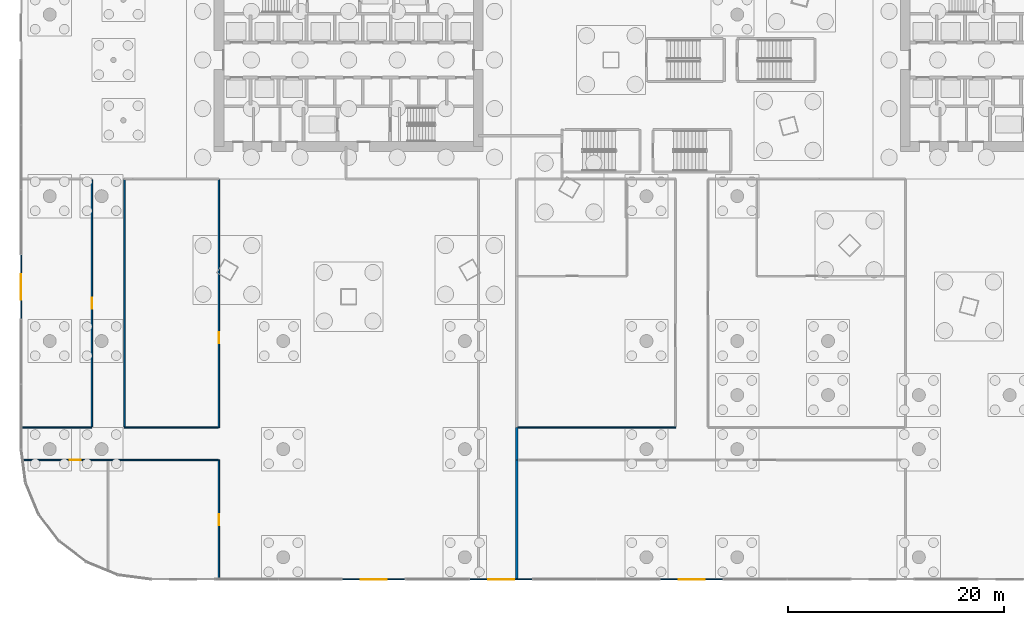
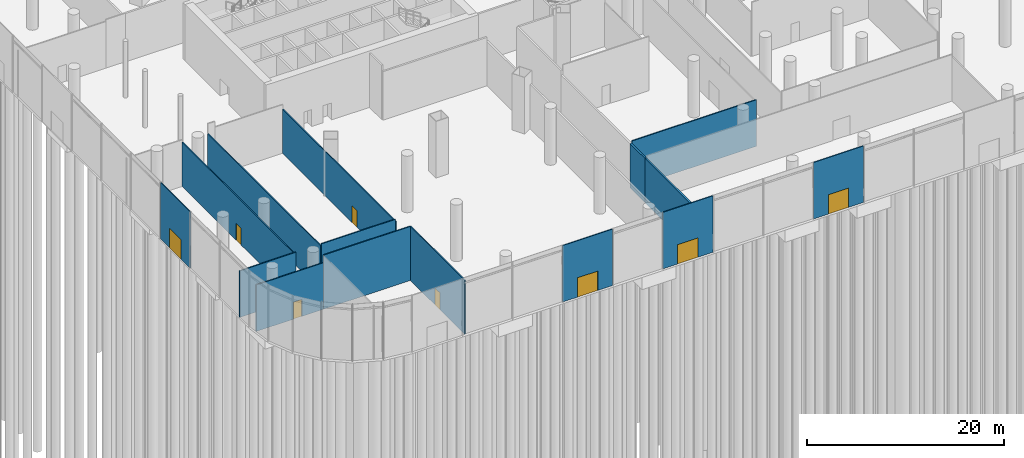
# One storey, part 23 of 41: 15 walls, 8 doors, 8 openings.
"""IFC4 building model written with IfcOpenShell, lengths in metres."""

from ifc_helpers import new_model, si_unit, direction, frame, frame_2d, origin, place, context, subcontext, project, spatial, rectangle, extrude, material, layer, layer_set, type_object, element, fill, save


model = new_model("IFC4")

# Units and contexts
model_context = context("Model", 3, precision=1e-05, world=origin(), true_north=direction((0.0, 1.0)))
body_context = subcontext(model_context, "Body", "Model", "MODEL_VIEW")
ifc_project = project(units=[si_unit("LENGTHUNIT", "METRE"), si_unit("AREAUNIT", "SQUARE_METRE"), si_unit("VOLUMEUNIT", "CUBIC_METRE"), si_unit("PLANEANGLEUNIT", "RADIAN"), si_unit("MASSUNIT", "GRAM", prefix="KILO")], contexts=[model_context])

# Site, building, storey
site_placement = place(None, origin())
site = spatial("IfcSite", under=ifc_project, at=site_placement, CompositionType="ELEMENT")
building_placement = place(site_placement, origin())
building = spatial("IfcBuilding", under=site, at=building_placement, Name="Rimbun Link Towers", CompositionType="ELEMENT")
storey_placement = place(building_placement, origin())
storey = spatial("IfcBuildingStorey", under=building, at=storey_placement, Name="L00", CompositionType="ELEMENT", Elevation=0.0)

# Wall, opening, door
ifc_material_1 = material(Name="Aluminium framed insulated infill panel", Category="aluminium")
ifc_layer_1 = layer(ifc_material_1, 0.10009765625)
ifc_layer_set_1 = layer_set([ifc_layer_1], Name="ED framed infill wall 100")
wall_type_1 = type_object("IfcWallType", Name="ED framed infill wall 100", PredefinedType="STANDARD", material=ifc_layer_set_1)
wall_1_placement = place(storey_placement, frame((-62.050048828125, -23.97998046875, 0.0), z_axis=(0.0, 0.0, 1.0), x_axis=(0.0, 1.0, 0.0)))
wall_1 = element("IfcWall", 1, at=wall_1_placement, inside=storey, type_object=wall_type_1, Name="Framed door bay wall", PredefinedType="STANDARD", context=body_context, shape_type="SweptSolid", body=[
    extrude(rectangle(XDim=5.9599609375, YDim=0.10009765625, at=frame_2d((2.97998046875, 0.0))), origin(), (0.0, 0.0, 1.0), 7.0),
])
opening_1_placement = place(wall_1_placement, frame((1.780029296875, 0.0, 0.0)))
opening_1 = element("IfcOpeningElement", 2, at=opening_1_placement, cuts=wall_1, Name="Opening ED14", PredefinedType="OPENING", context=body_context, shape_type="SweptSolid", body=[
    extrude(rectangle(XDim=2.39990234375, YDim=2.39990234375, at=frame_2d((1.199951171875, 1.199951171875))), frame((0.0, 0.06005859375, 0.0), z_axis=(0.0, -1.0, 0.0), x_axis=(1.0, 0.0, 0.0)), (0.0, 0.0, 1.0), 0.1201171875),
])
ifc_material_2 = material(Name="Aluminium framed glazed door, low-iron glass", Category="aluminium")
door_type_1 = type_object("IfcDoorType", Name="ED entrance door double leaf 2400X2400", OperationType="DOUBLE_DOOR_SINGLE_SWING", PredefinedType="DOOR", material=ifc_material_2)
door_1_placement = place(opening_1_placement, origin())
door_1 = element("IfcDoor", 3, at=door_1_placement, inside=storey, type_object=door_type_1, Name="Entrance door", OperationType="SINGLE_SWING_LEFT", OverallHeight=2.39990234375, OverallWidth=2.39990234375, PredefinedType="DOOR", context=body_context, shape_type="SweptSolid", body=[
    extrude(rectangle(XDim=2.39990234375, YDim=2.39990234375, at=frame_2d((1.199951171875, 1.199951171875))), frame((0.0, 0.02490234375, 0.0), z_axis=(0.0, -1.0, 0.0), x_axis=(1.0, 0.0, 0.0)), (0.0, 0.0, 1.0), 0.050048828125),
])
fill(opening_1, door_1)

wall_2_placement = place(storey_placement, frame((-26.490478515625, -48.050048828125, 0.0), z_axis=(0.0, 0.0, 1.0), x_axis=(-1.0, 0.0, 0.0)))
wall_2 = element("IfcWall", 4, at=wall_2_placement, inside=storey, type_object=wall_type_1, Name="Framed door bay wall", PredefinedType="STANDARD", context=body_context, shape_type="SweptSolid", body=[
    extrude(rectangle(XDim=5.842529296875, YDim=0.10009765625, at=frame_2d((2.92138671875, 0.0))), origin(), (0.0, 0.0, 1.0), 7.0),
])
opening_2_placement = place(wall_2_placement, frame((1.72119140625, 0.0, 0.0)))
opening_2 = element("IfcOpeningElement", 5, at=opening_2_placement, cuts=wall_2, Name="Opening ED16", PredefinedType="OPENING", context=body_context, shape_type="SweptSolid", body=[
    extrude(rectangle(XDim=2.39990234375, YDim=2.39990234375, at=frame_2d((1.199951171875, 1.199951171875))), frame((0.0, 0.06005859375, 0.0), z_axis=(0.0, -1.0, 0.0), x_axis=(1.0, 0.0, 0.0)), (0.0, 0.0, 1.0), 0.1201171875),
])
door_2_placement = place(opening_2_placement, origin())
door_2 = element("IfcDoor", 6, at=door_2_placement, inside=storey, type_object=door_type_1, Name="Entrance door", OperationType="SINGLE_SWING_LEFT", OverallHeight=2.39990234375, OverallWidth=2.39990234375, PredefinedType="DOOR", context=body_context, shape_type="SweptSolid", body=[
    extrude(rectangle(XDim=2.39990234375, YDim=2.39990234375, at=frame_2d((1.199951171875, 1.199951171875))), frame((0.0, 0.02490234375, 0.0), z_axis=(0.0, -1.0, 0.0), x_axis=(1.0, 0.0, 0.0)), (0.0, 0.0, 1.0), 0.050048828125),
])
fill(opening_2, door_2)

wall_3_placement = place(storey_placement, frame((-14.725830078125, -48.050048828125, 0.0), z_axis=(0.0, 0.0, 1.0), x_axis=(-1.0, 0.0, 0.0)))
wall_3 = element("IfcWall", 7, at=wall_3_placement, inside=storey, type_object=wall_type_1, Name="Framed door bay wall", PredefinedType="STANDARD", context=body_context, shape_type="SweptSolid", body=[
    extrude(rectangle(XDim=5.84228515625, YDim=0.10009765625, at=frame_2d((2.921142578125, 0.0))), origin(), (0.0, 0.0, 1.0), 7.0),
])
opening_3_placement = place(wall_3_placement, frame((1.72119140625, 0.0, 0.0)))
opening_3 = element("IfcOpeningElement", 8, at=opening_3_placement, cuts=wall_3, Name="Opening ED17", PredefinedType="OPENING", context=body_context, shape_type="SweptSolid", body=[
    extrude(rectangle(XDim=2.39990234375, YDim=2.39990234375, at=frame_2d((1.199951171875, 1.199951171875))), frame((0.0, 0.06005859375, 0.0), z_axis=(0.0, -1.0, 0.0), x_axis=(1.0, 0.0, 0.0)), (0.0, 0.0, 1.0), 0.1201171875),
])
door_3_placement = place(opening_3_placement, origin())
door_3 = element("IfcDoor", 9, at=door_3_placement, inside=storey, type_object=door_type_1, Name="Entrance door", OperationType="SINGLE_SWING_LEFT", OverallHeight=2.39990234375, OverallWidth=2.39990234375, PredefinedType="DOOR", context=body_context, shape_type="SweptSolid", body=[
    extrude(rectangle(XDim=2.39990234375, YDim=2.39990234375, at=frame_2d((1.199951171875, 1.199951171875))), frame((0.0, 0.02490234375, 0.0), z_axis=(0.0, -1.0, 0.0), x_axis=(1.0, 0.0, 0.0)), (0.0, 0.0, 1.0), 0.050048828125),
])
fill(opening_3, door_3)

wall_4_placement = place(storey_placement, frame((2.921142578125, -48.050048828125, 0.0), z_axis=(0.0, 0.0, 1.0), x_axis=(-1.0, 0.0, 0.0)))
wall_4 = element("IfcWall", 10, at=wall_4_placement, inside=storey, type_object=wall_type_1, Name="Framed door bay wall", PredefinedType="STANDARD", context=body_context, shape_type="SweptSolid", body=[
    extrude(rectangle(XDim=5.84228515625, YDim=0.10009765625, at=frame_2d((2.921142578125, 0.0))), origin(), (0.0, 0.0, 1.0), 7.0),
])
opening_4_placement = place(wall_4_placement, frame((1.72119140625, 0.0, 0.0)))
opening_4 = element("IfcOpeningElement", 11, at=opening_4_placement, cuts=wall_4, Name="Opening ED18", PredefinedType="OPENING", context=body_context, shape_type="SweptSolid", body=[
    extrude(rectangle(XDim=2.39990234375, YDim=2.39990234375, at=frame_2d((1.199951171875, 1.199951171875))), frame((0.0, 0.06005859375, 0.0), z_axis=(0.0, -1.0, 0.0), x_axis=(1.0, 0.0, 0.0)), (0.0, 0.0, 1.0), 0.1201171875),
])
door_4_placement = place(opening_4_placement, origin())
door_4 = element("IfcDoor", 12, at=door_4_placement, inside=storey, type_object=door_type_1, Name="Entrance door", OperationType="SINGLE_SWING_LEFT", OverallHeight=2.39990234375, OverallWidth=2.39990234375, PredefinedType="DOOR", context=body_context, shape_type="SweptSolid", body=[
    extrude(rectangle(XDim=2.39990234375, YDim=2.39990234375, at=frame_2d((1.199951171875, 1.199951171875))), frame((0.0, 0.02490234375, 0.0), z_axis=(0.0, -1.0, 0.0), x_axis=(1.0, 0.0, 0.0)), (0.0, 0.0, 1.0), 0.050048828125),
])
fill(opening_4, door_4)

# Walls
ifc_material_3 = material(Name="Concrete blockwork", Category="masonry")
ifc_layer_2 = layer(ifc_material_3, 0.199951171875)
ifc_layer_set_2 = layer_set([ifc_layer_2], Name="Fire partition 200 blockwork")
wall_type_2 = type_object("IfcWallType", Name="Fire partition 200 blockwork", PredefinedType="PARTITIONING", material=ifc_layer_set_2)
wall_5_placement = place(storey_placement, frame((-16.199951171875, -37.0, 0.0), z_axis=(0.0, 0.0, 1.0), x_axis=(0.0, 1.0, 0.0)))
element("IfcWall", 13, at=wall_5_placement, inside=storey, type_object=wall_type_2, Name="PD/PW/L00/032", PredefinedType="PARTITIONING", context=body_context, shape_type="SweptSolid", body=[
    extrude(rectangle(XDim=3.0, YDim=0.199951171875, at=frame_2d((1.5, 0.0))), origin(), (0.0, 0.0, 1.0), 5.47998046875),
])
wall_6_placement = place(storey_placement, frame((-16.199951171875, -48.080078125, 0.0), z_axis=(0.0, 0.0, 1.0), x_axis=(0.0, 1.0, 0.0)))
element("IfcWall", 14, at=wall_6_placement, inside=storey, type_object=wall_type_2, Name="PD/PW/L00/036", PredefinedType="PARTITIONING", context=body_context, shape_type="SweptSolid", body=[
    extrude(rectangle(XDim=11.080078125, YDim=0.199951171875, at=frame_2d((5.5400390625, 0.0))), origin(), (0.0, 0.0, 1.0), 5.47998046875),
])

# Wall, opening, door
ifc_material_4 = material(Name="Gypsum board on steel studs", Category="steel")
ifc_layer_3 = layer(ifc_material_4, 0.125)
ifc_layer_set_3 = layer_set([ifc_layer_3], Name="Partition 125 board on studs")
wall_type_3 = type_object("IfcWallType", Name="Partition 125 board on studs", PredefinedType="PARTITIONING", material=ifc_layer_set_3)
wall_7_placement = place(storey_placement, frame((-43.75, -37.0, 0.0), z_axis=(0.0, 0.0, 1.0), x_axis=(0.0, -1.0, 0.0)))
wall_7 = element("IfcWall", 15, at=wall_7_placement, inside=storey, type_object=wall_type_3, Name="PD/PW/L00/060", PredefinedType="PARTITIONING", context=body_context, shape_type="SweptSolid", body=[
    extrude(rectangle(XDim=11.080078125, YDim=0.125, at=frame_2d((5.5400390625, 0.0))), origin(), (0.0, 0.0, 1.0), 6.699951171875),
])
opening_5_placement = place(wall_7_placement, frame((5.0400390625, 0.0, 0.0)))
opening_5 = element("IfcOpeningElement", 16, at=opening_5_placement, cuts=wall_7, Name="Opening PD D00.07", PredefinedType="OPENING", context=body_context, shape_type="SweptSolid", body=[
    extrude(rectangle(XDim=1.0, YDim=2.10009765625, at=frame_2d((0.5, 1.050048828125))), frame((0.0, 0.072509765625, 0.0), z_axis=(0.0, -1.0, 0.0), x_axis=(1.0, 0.0, 0.0)), (0.0, 0.0, 1.0), 0.14501953125),
])
ifc_material_5 = material(Name="Timber door set", Category="wood")
door_type_2 = type_object("IfcDoorType", Name="Door single leaf 1000 x 2100", OperationType="NOTDEFINED", PredefinedType="DOOR", material=ifc_material_5)
door_5_placement = place(opening_5_placement, origin())
door_5 = element("IfcDoor", 17, at=door_5_placement, inside=storey, type_object=door_type_2, Name="PD/DR/L00/007", OperationType="SINGLE_SWING_RIGHT", OverallHeight=2.10009765625, OverallWidth=1.0, PredefinedType="DOOR", context=body_context, shape_type="SweptSolid", body=[
    extrude(rectangle(XDim=1.0, YDim=2.10009765625, at=frame_2d((0.5, 1.050048828125))), frame((0.0, 0.02490234375, 0.0), z_axis=(0.0, -1.0, 0.0), x_axis=(1.0, 0.0, 0.0)), (0.0, 0.0, 1.0), 0.050048828125),
])
fill(opening_5, door_5)

wall_8_placement = place(storey_placement, frame((-43.75, -11.0625, 0.0), z_axis=(0.0, 0.0, 1.0), x_axis=(0.0, -1.0, 0.0)))
wall_8 = element("IfcWall", 18, at=wall_8_placement, inside=storey, type_object=wall_type_3, Name="PD/PW/L00/061", PredefinedType="PARTITIONING", context=body_context, shape_type="SweptSolid", body=[
    extrude(rectangle(XDim=22.9375, YDim=0.125, at=frame_2d((11.46875, 0.0))), origin(), (0.0, 0.0, 1.0), 5.47998046875),
])
opening_6_placement = place(wall_8_placement, frame((14.1240234375, 0.0, 0.0)))
opening_6 = element("IfcOpeningElement", 19, at=opening_6_placement, cuts=wall_8, Name="Opening PD D00.11", PredefinedType="OPENING", context=body_context, shape_type="SweptSolid", body=[
    extrude(rectangle(XDim=1.0, YDim=2.10009765625, at=frame_2d((0.5, 1.050048828125))), frame((0.0, 0.072509765625, 0.0), z_axis=(0.0, -1.0, 0.0), x_axis=(1.0, 0.0, 0.0)), (0.0, 0.0, 1.0), 0.14501953125),
])
door_6_placement = place(opening_6_placement, origin())
door_6 = element("IfcDoor", 20, at=door_6_placement, inside=storey, type_object=door_type_2, Name="PD/DR/L00/011", OperationType="SINGLE_SWING_RIGHT", OverallHeight=2.10009765625, OverallWidth=1.0, PredefinedType="DOOR", context=body_context, shape_type="SweptSolid", body=[
    extrude(rectangle(XDim=1.0, YDim=2.10009765625, at=frame_2d((0.5, 1.050048828125))), frame((0.0, 0.02490234375, 0.0), z_axis=(0.0, -1.0, 0.0), x_axis=(1.0, 0.0, 0.0)), (0.0, 0.0, 1.0), 0.050048828125),
])
fill(opening_6, door_6)

# Wall
wall_9_placement = place(storey_placement, frame((-1.5, -34.0, 0.0), z_axis=(0.0, 0.0, 1.0), x_axis=(-1.0, 0.0, 0.0)))
element("IfcWall", 21, at=wall_9_placement, inside=storey, type_object=wall_type_3, Name="PD/PW/L00/090", PredefinedType="PARTITIONING", context=body_context, shape_type="SweptSolid", body=[
    extrude(rectangle(XDim=14.60009765625, YDim=0.125, at=frame_2d((7.300048828125, 0.0))), origin(), (0.0, 0.0, 1.0), 5.761962890625),
])

# Wall, opening, door
wall_10_placement = place(storey_placement, frame((-61.868408203125, -37.0, 0.0), z_axis=(0.0, 0.0, 1.0), x_axis=(1.0, 0.0, 0.0)))
wall_10 = element("IfcWall", 22, at=wall_10_placement, inside=storey, type_object=wall_type_3, Name="PD/PW/L00/093", PredefinedType="PARTITIONING", context=body_context, shape_type="SweptSolid", body=[
    extrude(rectangle(XDim=7.868408203125, YDim=0.125, at=frame_2d((3.93408203125, 0.0))), origin(), (0.0, 0.0, 1.0), 5.761962890625),
])
opening_7_placement = place(wall_10_placement, frame((4.3291015625, 0.0, 0.0)))
opening_7 = element("IfcOpeningElement", 23, at=opening_7_placement, cuts=wall_10, Name="Opening PD D00.06", PredefinedType="OPENING", context=body_context, shape_type="SweptSolid", body=[
    extrude(rectangle(XDim=1.0, YDim=2.10009765625, at=frame_2d((0.5, 1.050048828125))), frame((0.0, 0.072509765625, 0.0), z_axis=(0.0, -1.0, 0.0), x_axis=(1.0, 0.0, 0.0)), (0.0, 0.0, 1.0), 0.14501953125),
])
door_7_placement = place(opening_7_placement, origin())
door_7 = element("IfcDoor", 24, at=door_7_placement, inside=storey, type_object=door_type_2, Name="PD/DR/L00/006", OperationType="SINGLE_SWING_LEFT", OverallHeight=2.10009765625, OverallWidth=1.0, PredefinedType="DOOR", context=body_context, shape_type="SweptSolid", body=[
    extrude(rectangle(XDim=1.0, YDim=2.10009765625, at=frame_2d((0.5, 1.050048828125))), frame((0.0, 0.02490234375, 0.0), z_axis=(0.0, -1.0, 0.0), x_axis=(1.0, 0.0, 0.0)), (0.0, 0.0, 1.0), 0.050048828125),
])
fill(opening_7, door_7)

# Walls
wall_11_placement = place(storey_placement, frame((-54.0, -37.0, 0.0), z_axis=(0.0, 0.0, 1.0), x_axis=(1.0, 0.0, 0.0)))
element("IfcWall", 25, at=wall_11_placement, inside=storey, type_object=wall_type_3, Name="PD/PW/L00/094", PredefinedType="PARTITIONING", context=body_context, shape_type="SweptSolid", body=[
    extrude(rectangle(XDim=10.1875, YDim=0.125, at=frame_2d((5.09375, 0.0))), origin(), (0.0, 0.0, 1.0), 6.699951171875),
])
wall_12_placement = place(storey_placement, frame((-55.5, -34.0, 0.0), z_axis=(0.0, 0.0, 1.0), x_axis=(-1.0, 0.0, 0.0)))
element("IfcWall", 26, at=wall_12_placement, inside=storey, type_object=wall_type_3, Name="PD/PW/L00/095", PredefinedType="PARTITIONING", context=body_context, shape_type="SweptSolid", body=[
    extrude(rectangle(XDim=6.580078125, YDim=0.125, at=frame_2d((3.2900390625, 0.0))), origin(), (0.0, 0.0, 1.0), 5.761962890625),
])
wall_13_placement = place(storey_placement, frame((-43.8125, -34.0, 0.0), z_axis=(0.0, 0.0, 1.0), x_axis=(-1.0, 0.0, 0.0)))
element("IfcWall", 27, at=wall_13_placement, inside=storey, type_object=wall_type_3, Name="PD/PW/L00/096", PredefinedType="PARTITIONING", context=body_context, shape_type="SweptSolid", body=[
    extrude(rectangle(XDim=8.6875, YDim=0.125, at=frame_2d((4.34375, 0.0))), origin(), (0.0, 0.0, 1.0), 5.761962890625),
])

# Wall, opening, door
wall_14_placement = place(storey_placement, frame((-55.5, -11.0625, 0.0), z_axis=(0.0, 0.0, 1.0), x_axis=(0.0, -1.0, 0.0)))
wall_14 = element("IfcWall", 28, at=wall_14_placement, inside=storey, type_object=wall_type_3, Name="PD/PW/L00/097", PredefinedType="PARTITIONING", context=body_context, shape_type="SweptSolid", body=[
    extrude(rectangle(XDim=22.875, YDim=0.125, at=frame_2d((11.4375, 0.0))), origin(), (0.0, 0.0, 1.0), 5.47998046875),
])
opening_8_placement = place(wall_14_placement, frame((10.93798828125, 0.0, 0.0)))
opening_8 = element("IfcOpeningElement", 29, at=opening_8_placement, cuts=wall_14, Name="Opening PD D00.10", PredefinedType="OPENING", context=body_context, shape_type="SweptSolid", body=[
    extrude(rectangle(XDim=1.0, YDim=2.10009765625, at=frame_2d((0.5, 1.050048828125))), frame((0.0, 0.072509765625, 0.0), z_axis=(0.0, -1.0, 0.0), x_axis=(1.0, 0.0, 0.0)), (0.0, 0.0, 1.0), 0.14501953125),
])
door_8_placement = place(opening_8_placement, origin())
door_8 = element("IfcDoor", 30, at=door_8_placement, inside=storey, type_object=door_type_2, Name="PD/DR/L00/010", OperationType="SINGLE_SWING_LEFT", OverallHeight=2.10009765625, OverallWidth=1.0, PredefinedType="DOOR", context=body_context, shape_type="SweptSolid", body=[
    extrude(rectangle(XDim=1.0, YDim=2.10009765625, at=frame_2d((0.5, 1.050048828125))), frame((0.0, 0.02490234375, 0.0), z_axis=(0.0, -1.0, 0.0), x_axis=(1.0, 0.0, 0.0)), (0.0, 0.0, 1.0), 0.050048828125),
])
fill(opening_8, door_8)

# Wall
wall_15_placement = place(storey_placement, frame((-52.5, -33.9375, 0.0), z_axis=(0.0, 0.0, 1.0), x_axis=(0.0, 1.0, 0.0)))
element("IfcWall", 31, at=wall_15_placement, inside=storey, type_object=wall_type_3, Name="PD/PW/L00/098", PredefinedType="PARTITIONING", context=body_context, shape_type="SweptSolid", body=[
    extrude(rectangle(XDim=22.875, YDim=0.125, at=frame_2d((11.4375, 0.0))), origin(), (0.0, 0.0, 1.0), 5.47998046875),
])

save(model, "model.ifc")
